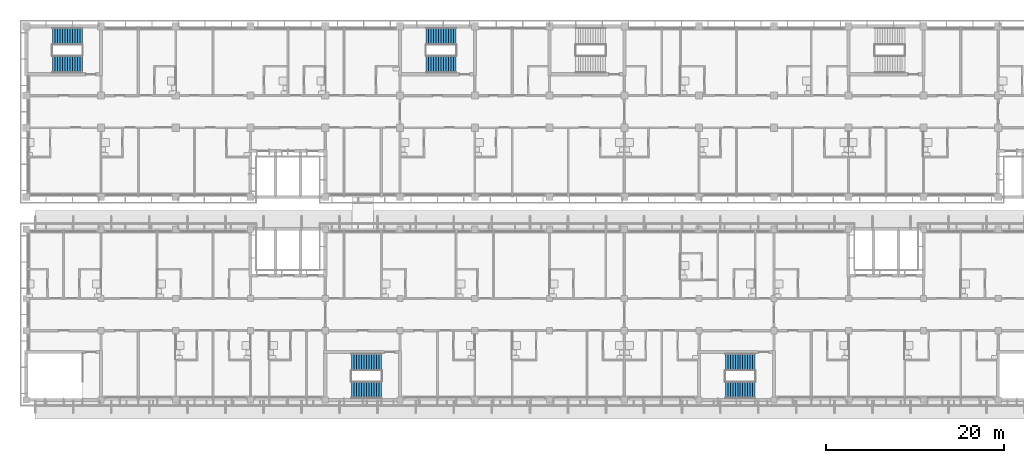
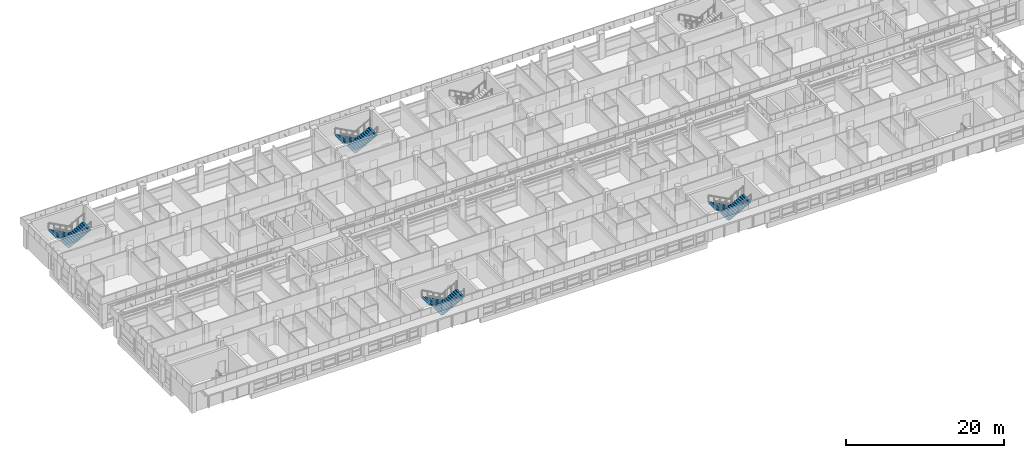
# One storey, part 40 of 71: 8 stair flights, 4 elements without a shape of their own.
"""IFC4 building model written with IfcOpenShell, lengths in metres."""

import ifcopenshell
import ifcopenshell.guid

model = None  # the IFC model being written
_history = None  # IfcOwnerHistory: only IFC2X3 demands one
_inside = {}  # id of a spatial element -> (the spatial element, [elements in it])
_under = {}  # id of a project, library or spatial element -> (it, [spatial elements below it])
_declared = {}  # id of a project -> (the project, [libraries it declares])
_typed = {}  # id of a type object -> (the type object, [elements of that type])
_made_of = {}  # id of a material, layer set ... -> (it, [elements and type objects made of it])


def new_model(schema):
    """Start an empty IFC model of exactly this schema.

    Asked for "IFC4X3", IfcOpenShell would pick the latest addendum, in which some entities
    have other attributes; the version numbers below select the first issue.
    IFC2X3 requires an IfcOwnerHistory on every rooted entity: one is made here for all.
    """
    global model, _history
    if schema == "IFC4X3":
        model = ifcopenshell.file(schema_version=(4, 3, 0, 0))
    else:
        model = ifcopenshell.file(schema=schema)
    _inside.clear()
    _under.clear()
    _declared.clear()
    _typed.clear()
    _made_of.clear()
    _history = None
    if model.schema == "IFC2X3":
        org = make("IfcOrganization", Name="unknown")
        user = make(
            "IfcPersonAndOrganization",
            ThePerson=make("IfcPerson", FamilyName="unknown"),
            TheOrganization=org,
        )
        app = make(
            "IfcApplication",
            ApplicationDeveloper=org,
            Version="unknown",
            ApplicationFullName="unknown",
            ApplicationIdentifier="unknown",
        )
        _history = make(
            "IfcOwnerHistory",
            OwningUser=user,
            OwningApplication=app,
            ChangeAction="ADDED",
            CreationDate=0,
        )
    return model


def make(cls, **values):
    """One entity of the class cls with the attributes given. An attribute that is None is left unset."""
    return model.create_entity(
        cls, **{name: value for name, value in values.items() if value is not None}
    )


def rooted(cls, **values):
    """An entity with a GlobalId (a new one), such as an element, a storey or a relation."""
    return make(cls, GlobalId=ifcopenshell.guid.new(), OwnerHistory=_history, **values)


def si_unit(unit_type, name, prefix=None):
    """IfcSIUnit, for example si_unit("LENGTHUNIT", "METRE", prefix="MILLI")."""
    return make("IfcSIUnit", UnitType=unit_type, Prefix=prefix, Name=name)


def assignment(units):
    """IfcUnitAssignment: the units of a project."""
    return None if units is None else make("IfcUnitAssignment", Units=units)


def point(xyz):
    """IfcCartesianPoint."""
    return None if xyz is None else make("IfcCartesianPoint", Coordinates=xyz)


def direction(xyz):
    """IfcDirection."""
    return None if xyz is None else make("IfcDirection", DirectionRatios=xyz)


def frame(location, z_axis=None, x_axis=None):
    """IfcAxis2Placement3D, a coordinate frame: its origin and axes. An axis left out is left unset."""
    return make(
        "IfcAxis2Placement3D",
        Location=point(location),
        Axis=direction(z_axis),
        RefDirection=direction(x_axis),
    )


def origin():
    """The frame at (0, 0, 0) with its axes left unset."""
    return frame((0.0, 0.0, 0.0))


def place(relative_to, where):
    """IfcLocalPlacement: puts the frame where relative to a parent placement (None: the world)."""
    return make(
        "IfcLocalPlacement", PlacementRelTo=relative_to, RelativePlacement=where
    )


def context(
    kind, dimensions, precision=None, world=None, true_north=None, identifier=None
):
    """IfcGeometricRepresentationContext, for example the 3D "Model" context."""
    return make(
        "IfcGeometricRepresentationContext",
        ContextIdentifier=identifier,
        ContextType=kind,
        CoordinateSpaceDimension=dimensions,
        Precision=precision,
        WorldCoordinateSystem=world,
        TrueNorth=true_north,
    )


def subcontext(parent, identifier, kind, view, scale=None):
    """IfcGeometricRepresentationSubContext, for example "Body" below "Model"."""
    return make(
        "IfcGeometricRepresentationSubContext",
        ContextIdentifier=identifier,
        ContextType=kind,
        ParentContext=parent,
        TargetScale=scale,
        TargetView=view,
    )


def project(units=None, contexts=None):
    """IfcProject with its units and contexts."""
    return rooted(
        "IfcProject",
        Name="project",
        RepresentationContexts=contexts,
        UnitsInContext=assignment(units),
    )


def spatial(cls, under=None, at=None, **own):
    """A site, building, storey or space (cls), placed at a placement, below another one or the project."""
    s = rooted(cls, ObjectPlacement=at, **own)
    if under is not None:
        _under.setdefault(under.id(), (under, []))[1].append(s)
    return s


def polyline(points):
    """IfcPolyline through the points."""
    return make("IfcPolyline", Points=[point(p) for p in points])


def outline(outer, holes=None, kind="AREA"):
    """IfcArbitraryClosedProfileDef: a profile drawn as a closed curve; with holes, ...WithVoids."""
    if holes is None:
        return make("IfcArbitraryClosedProfileDef", ProfileType=kind, OuterCurve=outer)
    return make(
        "IfcArbitraryProfileDefWithVoids",
        ProfileType=kind,
        OuterCurve=outer,
        InnerCurves=holes,
    )


def extrude(swept, where, along, depth):
    """IfcExtrudedAreaSolid: the profile swept, set in the frame where, extruded along a direction by depth."""
    return make(
        "IfcExtrudedAreaSolid",
        SweptArea=swept,
        Position=where,
        ExtrudedDirection=direction(along),
        Depth=depth,
    )


def shape(context_of_items, identifier, shape_type, items):
    """IfcShapeRepresentation: the items that make up one representation, for example the "Body"."""
    return make(
        "IfcShapeRepresentation",
        ContextOfItems=context_of_items,
        RepresentationIdentifier=identifier,
        RepresentationType=shape_type,
        Items=items,
    )


def material(Name=None, Category=None):
    """IfcMaterial."""
    return make("IfcMaterial", Name=Name, Category=Category)


def made_of(thing, what):
    """Note that an element or type object is made of a material, layer set ...; save() writes the relation."""
    if what is not None:
        _made_of.setdefault(what.id(), (what, []))[1].append(thing)
    return thing


def type_object(cls, material=None, **own):
    """A type object (cls), such as IfcWallType, which elements share."""
    return made_of(rooted(cls, **own), material)


def element(
    cls,
    number,
    at=None,
    inside=None,
    cuts=None,
    type_object=None,
    material=None,
    context=None,
    identifier="Body",
    shape_type=None,
    held_by="IfcProductDefinitionShape",
    body=None,
    shapes=None,
    **own,
):
    """One element of the class cls, such as IfcWall. Its Tag is "e" and its number.

    at: its placement. inside: the storey or other place that contains it. cuts: it is an
    opening in that element (IfcRelVoidsElement). A single representation is given by context,
    identifier, shape_type and body (its items); several are given by shapes. held_by: the class
    of the entity that holds the representations. save() writes the other relations.
    """
    e = rooted(cls, Tag="e%d" % number, ObjectPlacement=at, **own)
    if body is not None:
        shapes = [shape(context, identifier, shape_type, body)]
    if shapes is not None:
        e.Representation = make(held_by, Representations=shapes)
    if inside is not None:
        _inside.setdefault(inside.id(), (inside, []))[1].append(e)
    if cuts is not None:
        rooted(
            "IfcRelVoidsElement", RelatingBuildingElement=cuts, RelatedOpeningElement=e
        )
    if type_object is not None:
        _typed.setdefault(type_object.id(), (type_object, []))[1].append(e)
    return made_of(e, material)


def aggregate(whole, parts):
    """IfcRelAggregates: a whole, such as a stair, and the parts it consists of."""
    return rooted("IfcRelAggregates", RelatingObject=whole, RelatedObjects=parts)


def save(model, path):
    """Write the relations noted so far, then the file.

    IfcRelAggregates (storeys below a building ...), IfcRelContainedInSpatialStructure (elements
    in a storey), IfcRelDefinesByType, IfcRelAssociatesMaterial and IfcRelDeclares: one each for
    every whole, place, type object, material and project.
    """
    for whole, parts in _under.values():
        aggregate(whole, parts)
    for where, things in _inside.values():
        rooted(
            "IfcRelContainedInSpatialStructure",
            RelatedElements=things,
            RelatingStructure=where,
        )
    for kind, things in _typed.values():
        rooted("IfcRelDefinesByType", RelatedObjects=things, RelatingType=kind)
    for what, things in _made_of.values():
        rooted("IfcRelAssociatesMaterial", RelatedObjects=things, RelatingMaterial=what)
    for by, libraries in _declared.values():
        rooted("IfcRelDeclares", RelatingContext=by, RelatedDefinitions=libraries)
    model.write(path)


model = new_model("IFC4")

# Units and contexts
model_context = context("Model", 3, precision=1e-05, world=origin(), true_north=direction((0.0, 1.0)))
body_context = subcontext(model_context, "Body", "Model", "MODEL_VIEW")
ifc_project = project(units=[si_unit("LENGTHUNIT", "METRE"), si_unit("AREAUNIT", "SQUARE_METRE"), si_unit("VOLUMEUNIT", "CUBIC_METRE"), si_unit("PLANEANGLEUNIT", "RADIAN"), si_unit("MASSUNIT", "GRAM", prefix="KILO")], contexts=[model_context])

# Site, building, storey
site_placement = place(None, origin())
site = spatial("IfcSite", under=ifc_project, at=site_placement, CompositionType="ELEMENT")
building_placement = place(site_placement, origin())
building = spatial("IfcBuilding", under=site, at=building_placement, Name="Bougainvillea Quay General Hospital", CompositionType="ELEMENT")
storey_placement = place(building_placement, frame((0.0, 0.0, 24.89990234375)))
storey = spatial("IfcBuildingStorey", under=building, at=storey_placement, Name="L05", CompositionType="ELEMENT", Elevation=24.89990234375)

# Stair, stair flights
ifc_material = material(Name="Concrete C35", Category="concrete")
stair_type = type_object("IfcStairType", Name="Stair half-turn 1925 wide", PredefinedType="HALF_TURN_STAIR", material=ifc_material)
stair_1_placement = place(storey_placement, origin())
stair_1 = element("IfcStair", 1, at=stair_1_placement, inside=storey, type_object=stair_type, Name="L05 stair ST-A1", PredefinedType="HALF_TURN_STAIR")
stair_flight_type = type_object("IfcStairFlightType", Name="Stair flight 1925", PredefinedType="STRAIGHT", material=ifc_material)
stair_flight_1_placement = place(storey_placement, frame((48.300048828125, 158.46240234375, 0.0), z_axis=(0.0, 0.0, 1.0), x_axis=(-1.0, 0.0, 0.0)))
stair_flight_1 = element("IfcStairFlight", 2, at=stair_flight_1_placement, type_object=stair_flight_type, Name="ST-A1 flight 1", NumberOfRisers=13, NumberOfTreads=12, PredefinedType="STRAIGHT", RiserHeight=0.15, TreadLength=0.28, context=body_context, shape_type="SweptSolid", body=[
    extrude(outline(polyline([(-0.0029296875, 0.0), (-0.0029296875, 0.003662109375), (-0.0029296875, 0.00732421875), (-0.0029296875, 0.010986328125), (-0.0029296875, 0.0146484375), (-0.0029296875, 0.018310546875), (-0.0029296875, 0.02197265625), (-0.0029296875, 0.025634765625), (-0.0029296875, 0.029296875), (-0.0029296875, 0.032958984375), (-0.0029296875, 0.03662109375), (-0.0029296875, 0.040283203125), (-0.0029296875, 0.0439453125), (-0.0029296875, 0.047607421875), (-0.0029296875, 0.05126953125), (-0.0029296875, 0.054931640625), (-0.0029296875, 0.05859375), (-0.0029296875, 0.062255859375), (-0.0029296875, 0.06591796875), (-0.0029296875, 0.069580078125), (-0.0029296875, 0.0732421875), (-0.0029296875, 0.076904296875), (-0.0029296875, 0.08056640625), (-0.0029296875, 0.084228515625), (-0.0029296875, 0.087890625), (-0.0029296875, 0.091552734375), (-0.0029296875, 0.09521484375), (-0.0029296875, 0.098876953125), (-0.0029296875, 0.1025390625), (-0.0029296875, 0.106201171875), (-0.0029296875, 0.10986328125), (-0.0029296875, 0.113525390625), (-0.0029296875, 0.1171875), (-0.0029296875, 0.120849609375), (-0.0029296875, 0.12451171875), (-0.0029296875, 0.1279296875), (-0.0029296875, 0.131591796875), (-0.0029296875, 0.13525390625), (-0.0029296875, 0.138916015625), (-0.0029296875, 0.142578125), (-0.0029296875, 0.146240234375), (-0.0029296875, 0.14990234375), (0.280029296875, 0.14990234375), (0.280029296875, 0.300048828125), (0.56005859375, 0.300048828125), (0.56005859375, 0.449951171875), (0.840087890625, 0.449951171875), (0.840087890625, 0.60009765625), (1.1201171875, 0.60009765625), (1.1201171875, 0.75), (1.39990234375, 0.75), (1.39990234375, 0.89990234375), (1.679931640625, 0.89990234375), (1.679931640625, 1.050048828125), (1.9599609375, 1.050048828125), (1.9599609375, 1.199951171875), (2.239990234375, 1.199951171875), (2.239990234375, 1.35009765625), (2.52001953125, 1.35009765625), (2.52001953125, 1.5), (2.800048828125, 1.5), (2.800048828125, 1.64990234375), (3.080078125, 1.64990234375), (3.080078125, 1.800048828125), (3.363037109375, 1.800048828125), (3.363037109375, 1.7958984375), (3.363037109375, 1.791748046875), (3.363037109375, 1.78759765625), (3.363037109375, 1.783447265625), (3.363037109375, 1.779296875), (3.363037109375, 1.775146484375), (3.363037109375, 1.77099609375), (3.363037109375, 1.766845703125), (3.363037109375, 1.7626953125), (3.363037109375, 1.758544921875), (3.363037109375, 1.75439453125), (3.363037109375, 1.750244140625), (3.363037109375, 1.74609375), (3.363037109375, 1.741943359375), (3.363037109375, 1.73779296875), (3.363037109375, 1.733642578125), (3.363037109375, 1.7294921875), (3.363037109375, 1.725341796875), (3.363037109375, 1.72119140625), (3.363037109375, 1.717041015625), (3.363037109375, 1.712890625), (3.363037109375, 1.708740234375), (3.363037109375, 1.70458984375), (3.363037109375, 1.700439453125), (3.363037109375, 1.6962890625), (3.363037109375, 1.692138671875), (3.363037109375, 1.68798828125), (3.363037109375, 1.683837890625), (3.363037109375, 1.6796875), (3.363037109375, 1.675537109375), (3.363037109375, 1.67138671875), (3.363037109375, 1.667236328125), (3.363037109375, 1.6630859375), (3.363037109375, 1.658935546875), (3.363037109375, 1.65478515625), (3.363037109375, 1.650634765625), (3.363037109375, 1.646484375), (3.363037109375, 1.642333984375), (3.363037109375, 1.63818359375), (3.363037109375, 1.634033203125), (3.363037109375, 1.6298828125), (0.3173828125, 0.0), (-0.0029296875, 0.0)])), frame((0.0, 0.96240234375, 0.0), z_axis=(0.0, -1.0, 0.0), x_axis=(1.0, 0.0, 0.0)), (0.0, 0.0, 1.0), 1.925048828125),
])
stair_flight_2_placement = place(storey_placement, frame((44.93994140625, 155.33740234375, 1.9501953125), z_axis=(0.0, 0.0, 1.0), x_axis=(1.0, 0.0, 0.0)))
stair_flight_2 = element("IfcStairFlight", 3, at=stair_flight_2_placement, type_object=stair_flight_type, Name="ST-A1 flight 2", NumberOfRisers=13, NumberOfTreads=12, PredefinedType="STRAIGHT", RiserHeight=0.15, TreadLength=0.28, context=body_context, shape_type="SweptSolid", body=[
    extrude(outline(polyline([(-0.0029296875, 0.0), (-0.0029296875, 0.003662109375), (-0.0029296875, 0.00732421875), (-0.0029296875, 0.010986328125), (-0.0029296875, 0.0146484375), (-0.0029296875, 0.018310546875), (-0.0029296875, 0.02197265625), (-0.0029296875, 0.025634765625), (-0.0029296875, 0.029296875), (-0.0029296875, 0.032958984375), (-0.0029296875, 0.03662109375), (-0.0029296875, 0.040283203125), (-0.0029296875, 0.0439453125), (-0.0029296875, 0.047607421875), (-0.0029296875, 0.05126953125), (-0.0029296875, 0.054931640625), (-0.0029296875, 0.05859375), (-0.0029296875, 0.062255859375), (-0.0029296875, 0.06591796875), (-0.0029296875, 0.069580078125), (-0.0029296875, 0.0732421875), (-0.0029296875, 0.076904296875), (-0.0029296875, 0.08056640625), (-0.0029296875, 0.084228515625), (-0.0029296875, 0.087890625), (-0.0029296875, 0.091552734375), (-0.0029296875, 0.09521484375), (-0.0029296875, 0.098876953125), (-0.0029296875, 0.1025390625), (-0.0029296875, 0.106201171875), (-0.0029296875, 0.10986328125), (-0.0029296875, 0.113525390625), (-0.0029296875, 0.1171875), (-0.0029296875, 0.120849609375), (-0.0029296875, 0.12451171875), (-0.0029296875, 0.1279296875), (-0.0029296875, 0.131591796875), (-0.0029296875, 0.13525390625), (-0.0029296875, 0.138916015625), (-0.0029296875, 0.142578125), (-0.0029296875, 0.146240234375), (-0.0029296875, 0.14990234375), (0.280029296875, 0.14990234375), (0.280029296875, 0.300048828125), (0.56005859375, 0.300048828125), (0.56005859375, 0.449951171875), (0.840087890625, 0.449951171875), (0.840087890625, 0.60009765625), (1.1201171875, 0.60009765625), (1.1201171875, 0.75), (1.39990234375, 0.75), (1.39990234375, 0.89990234375), (1.679931640625, 0.89990234375), (1.679931640625, 1.050048828125), (1.9599609375, 1.050048828125), (1.9599609375, 1.199951171875), (2.239990234375, 1.199951171875), (2.239990234375, 1.35009765625), (2.52001953125, 1.35009765625), (2.52001953125, 1.5), (2.800048828125, 1.5), (2.800048828125, 1.64990234375), (3.080078125, 1.64990234375), (3.080078125, 1.800048828125), (3.363037109375, 1.800048828125), (3.363037109375, 1.7958984375), (3.363037109375, 1.791748046875), (3.363037109375, 1.78759765625), (3.363037109375, 1.783447265625), (3.363037109375, 1.779296875), (3.363037109375, 1.775146484375), (3.363037109375, 1.77099609375), (3.363037109375, 1.766845703125), (3.363037109375, 1.7626953125), (3.363037109375, 1.758544921875), (3.363037109375, 1.75439453125), (3.363037109375, 1.750244140625), (3.363037109375, 1.74609375), (3.363037109375, 1.741943359375), (3.363037109375, 1.73779296875), (3.363037109375, 1.733642578125), (3.363037109375, 1.7294921875), (3.363037109375, 1.725341796875), (3.363037109375, 1.72119140625), (3.363037109375, 1.717041015625), (3.363037109375, 1.712890625), (3.363037109375, 1.708740234375), (3.363037109375, 1.70458984375), (3.363037109375, 1.700439453125), (3.363037109375, 1.6962890625), (3.363037109375, 1.692138671875), (3.363037109375, 1.68798828125), (3.363037109375, 1.683837890625), (3.363037109375, 1.6796875), (3.363037109375, 1.675537109375), (3.363037109375, 1.67138671875), (3.363037109375, 1.667236328125), (3.363037109375, 1.6630859375), (3.363037109375, 1.658935546875), (3.363037109375, 1.65478515625), (3.363037109375, 1.650634765625), (3.363037109375, 1.646484375), (3.363037109375, 1.642333984375), (3.363037109375, 1.63818359375), (3.363037109375, 1.634033203125), (3.363037109375, 1.6298828125), (0.3173828125, 0.0), (-0.0029296875, 0.0)])), frame((0.0, 0.96240234375, 0.0), z_axis=(0.0, -1.0, 0.0), x_axis=(1.0, 0.0, 0.0)), (0.0, 0.0, 1.0), 1.925048828125),
])
aggregate(stair_1, [stair_flight_1, stair_flight_2])

stair_2_placement = place(storey_placement, origin())
stair_2 = element("IfcStair", 4, at=stair_2_placement, inside=storey, type_object=stair_type, Name="L05 stair ST-A2", PredefinedType="HALF_TURN_STAIR")
stair_flight_3_placement = place(storey_placement, frame((90.300048828125, 158.46240234375, 0.0), z_axis=(0.0, 0.0, 1.0), x_axis=(-1.0, 0.0, 0.0)))
stair_flight_3 = element("IfcStairFlight", 5, at=stair_flight_3_placement, type_object=stair_flight_type, Name="ST-A2 flight 1", NumberOfRisers=13, NumberOfTreads=12, PredefinedType="STRAIGHT", RiserHeight=0.15, TreadLength=0.28, context=body_context, shape_type="SweptSolid", body=[
    extrude(outline(polyline([(-0.0029296875, 0.0), (-0.0029296875, 0.003662109375), (-0.0029296875, 0.00732421875), (-0.0029296875, 0.010986328125), (-0.0029296875, 0.0146484375), (-0.0029296875, 0.018310546875), (-0.0029296875, 0.02197265625), (-0.0029296875, 0.025634765625), (-0.0029296875, 0.029296875), (-0.0029296875, 0.032958984375), (-0.0029296875, 0.03662109375), (-0.0029296875, 0.040283203125), (-0.0029296875, 0.0439453125), (-0.0029296875, 0.047607421875), (-0.0029296875, 0.05126953125), (-0.0029296875, 0.054931640625), (-0.0029296875, 0.05859375), (-0.0029296875, 0.062255859375), (-0.0029296875, 0.06591796875), (-0.0029296875, 0.069580078125), (-0.0029296875, 0.0732421875), (-0.0029296875, 0.076904296875), (-0.0029296875, 0.08056640625), (-0.0029296875, 0.084228515625), (-0.0029296875, 0.087890625), (-0.0029296875, 0.091552734375), (-0.0029296875, 0.09521484375), (-0.0029296875, 0.098876953125), (-0.0029296875, 0.1025390625), (-0.0029296875, 0.106201171875), (-0.0029296875, 0.10986328125), (-0.0029296875, 0.113525390625), (-0.0029296875, 0.1171875), (-0.0029296875, 0.120849609375), (-0.0029296875, 0.12451171875), (-0.0029296875, 0.1279296875), (-0.0029296875, 0.131591796875), (-0.0029296875, 0.13525390625), (-0.0029296875, 0.138916015625), (-0.0029296875, 0.142578125), (-0.0029296875, 0.146240234375), (-0.0029296875, 0.14990234375), (0.280029296875, 0.14990234375), (0.280029296875, 0.300048828125), (0.56005859375, 0.300048828125), (0.56005859375, 0.449951171875), (0.840087890625, 0.449951171875), (0.840087890625, 0.60009765625), (1.1201171875, 0.60009765625), (1.1201171875, 0.75), (1.39990234375, 0.75), (1.39990234375, 0.89990234375), (1.679931640625, 0.89990234375), (1.679931640625, 1.050048828125), (1.9599609375, 1.050048828125), (1.9599609375, 1.199951171875), (2.239990234375, 1.199951171875), (2.239990234375, 1.35009765625), (2.52001953125, 1.35009765625), (2.52001953125, 1.5), (2.800048828125, 1.5), (2.800048828125, 1.64990234375), (3.080078125, 1.64990234375), (3.080078125, 1.800048828125), (3.363037109375, 1.800048828125), (3.363037109375, 1.7958984375), (3.363037109375, 1.791748046875), (3.363037109375, 1.78759765625), (3.363037109375, 1.783447265625), (3.363037109375, 1.779296875), (3.363037109375, 1.775146484375), (3.363037109375, 1.77099609375), (3.363037109375, 1.766845703125), (3.363037109375, 1.7626953125), (3.363037109375, 1.758544921875), (3.363037109375, 1.75439453125), (3.363037109375, 1.750244140625), (3.363037109375, 1.74609375), (3.363037109375, 1.741943359375), (3.363037109375, 1.73779296875), (3.363037109375, 1.733642578125), (3.363037109375, 1.7294921875), (3.363037109375, 1.725341796875), (3.363037109375, 1.72119140625), (3.363037109375, 1.717041015625), (3.363037109375, 1.712890625), (3.363037109375, 1.708740234375), (3.363037109375, 1.70458984375), (3.363037109375, 1.700439453125), (3.363037109375, 1.6962890625), (3.363037109375, 1.692138671875), (3.363037109375, 1.68798828125), (3.363037109375, 1.683837890625), (3.363037109375, 1.6796875), (3.363037109375, 1.675537109375), (3.363037109375, 1.67138671875), (3.363037109375, 1.667236328125), (3.363037109375, 1.6630859375), (3.363037109375, 1.658935546875), (3.363037109375, 1.65478515625), (3.363037109375, 1.650634765625), (3.363037109375, 1.646484375), (3.363037109375, 1.642333984375), (3.363037109375, 1.63818359375), (3.363037109375, 1.634033203125), (3.363037109375, 1.6298828125), (0.3173828125, 0.0), (-0.0029296875, 0.0)])), frame((0.0, 0.96240234375, 0.0), z_axis=(0.0, -1.0, 0.0), x_axis=(1.0, 0.0, 0.0)), (0.0, 0.0, 1.0), 1.925048828125),
])
stair_flight_4_placement = place(storey_placement, frame((86.93994140625, 155.33740234375, 1.9501953125), z_axis=(0.0, 0.0, 1.0), x_axis=(1.0, 0.0, 0.0)))
stair_flight_4 = element("IfcStairFlight", 6, at=stair_flight_4_placement, type_object=stair_flight_type, Name="ST-A2 flight 2", NumberOfRisers=13, NumberOfTreads=12, PredefinedType="STRAIGHT", RiserHeight=0.15, TreadLength=0.28, context=body_context, shape_type="SweptSolid", body=[
    extrude(outline(polyline([(-0.0029296875, 0.0), (-0.0029296875, 0.003662109375), (-0.0029296875, 0.00732421875), (-0.0029296875, 0.010986328125), (-0.0029296875, 0.0146484375), (-0.0029296875, 0.018310546875), (-0.0029296875, 0.02197265625), (-0.0029296875, 0.025634765625), (-0.0029296875, 0.029296875), (-0.0029296875, 0.032958984375), (-0.0029296875, 0.03662109375), (-0.0029296875, 0.040283203125), (-0.0029296875, 0.0439453125), (-0.0029296875, 0.047607421875), (-0.0029296875, 0.05126953125), (-0.0029296875, 0.054931640625), (-0.0029296875, 0.05859375), (-0.0029296875, 0.062255859375), (-0.0029296875, 0.06591796875), (-0.0029296875, 0.069580078125), (-0.0029296875, 0.0732421875), (-0.0029296875, 0.076904296875), (-0.0029296875, 0.08056640625), (-0.0029296875, 0.084228515625), (-0.0029296875, 0.087890625), (-0.0029296875, 0.091552734375), (-0.0029296875, 0.09521484375), (-0.0029296875, 0.098876953125), (-0.0029296875, 0.1025390625), (-0.0029296875, 0.106201171875), (-0.0029296875, 0.10986328125), (-0.0029296875, 0.113525390625), (-0.0029296875, 0.1171875), (-0.0029296875, 0.120849609375), (-0.0029296875, 0.12451171875), (-0.0029296875, 0.1279296875), (-0.0029296875, 0.131591796875), (-0.0029296875, 0.13525390625), (-0.0029296875, 0.138916015625), (-0.0029296875, 0.142578125), (-0.0029296875, 0.146240234375), (-0.0029296875, 0.14990234375), (0.280029296875, 0.14990234375), (0.280029296875, 0.300048828125), (0.56005859375, 0.300048828125), (0.56005859375, 0.449951171875), (0.840087890625, 0.449951171875), (0.840087890625, 0.60009765625), (1.1201171875, 0.60009765625), (1.1201171875, 0.75), (1.39990234375, 0.75), (1.39990234375, 0.89990234375), (1.679931640625, 0.89990234375), (1.679931640625, 1.050048828125), (1.9599609375, 1.050048828125), (1.9599609375, 1.199951171875), (2.239990234375, 1.199951171875), (2.239990234375, 1.35009765625), (2.52001953125, 1.35009765625), (2.52001953125, 1.5), (2.800048828125, 1.5), (2.800048828125, 1.64990234375), (3.080078125, 1.64990234375), (3.080078125, 1.800048828125), (3.363037109375, 1.800048828125), (3.363037109375, 1.7958984375), (3.363037109375, 1.791748046875), (3.363037109375, 1.78759765625), (3.363037109375, 1.783447265625), (3.363037109375, 1.779296875), (3.363037109375, 1.775146484375), (3.363037109375, 1.77099609375), (3.363037109375, 1.766845703125), (3.363037109375, 1.7626953125), (3.363037109375, 1.758544921875), (3.363037109375, 1.75439453125), (3.363037109375, 1.750244140625), (3.363037109375, 1.74609375), (3.363037109375, 1.741943359375), (3.363037109375, 1.73779296875), (3.363037109375, 1.733642578125), (3.363037109375, 1.7294921875), (3.363037109375, 1.725341796875), (3.363037109375, 1.72119140625), (3.363037109375, 1.717041015625), (3.363037109375, 1.712890625), (3.363037109375, 1.708740234375), (3.363037109375, 1.70458984375), (3.363037109375, 1.700439453125), (3.363037109375, 1.6962890625), (3.363037109375, 1.692138671875), (3.363037109375, 1.68798828125), (3.363037109375, 1.683837890625), (3.363037109375, 1.6796875), (3.363037109375, 1.675537109375), (3.363037109375, 1.67138671875), (3.363037109375, 1.667236328125), (3.363037109375, 1.6630859375), (3.363037109375, 1.658935546875), (3.363037109375, 1.65478515625), (3.363037109375, 1.650634765625), (3.363037109375, 1.646484375), (3.363037109375, 1.642333984375), (3.363037109375, 1.63818359375), (3.363037109375, 1.634033203125), (3.363037109375, 1.6298828125), (0.3173828125, 0.0), (-0.0029296875, 0.0)])), frame((0.0, 0.96240234375, 0.0), z_axis=(0.0, -1.0, 0.0), x_axis=(1.0, 0.0, 0.0)), (0.0, 0.0, 1.0), 1.925048828125),
])
aggregate(stair_2, [stair_flight_3, stair_flight_4])

stair_3_placement = place(storey_placement, origin())
stair_3 = element("IfcStair", 7, at=stair_3_placement, inside=storey, type_object=stair_type, Name="L05 stair ST-B2", PredefinedType="HALF_TURN_STAIR")
stair_flight_5_placement = place(storey_placement, frame((81.89990234375, 121.862548828125, 0.0), z_axis=(0.0, 0.0, 1.0), x_axis=(-1.0, 0.0, 0.0)))
stair_flight_5 = element("IfcStairFlight", 8, at=stair_flight_5_placement, type_object=stair_flight_type, Name="ST-B2 flight 1", NumberOfRisers=13, NumberOfTreads=12, PredefinedType="STRAIGHT", RiserHeight=0.15, TreadLength=0.28, context=body_context, shape_type="SweptSolid", body=[
    extrude(outline(polyline([(-0.0029296875, 0.0), (-0.0029296875, 0.003662109375), (-0.0029296875, 0.00732421875), (-0.0029296875, 0.010986328125), (-0.0029296875, 0.0146484375), (-0.0029296875, 0.018310546875), (-0.0029296875, 0.02197265625), (-0.0029296875, 0.025634765625), (-0.0029296875, 0.029296875), (-0.0029296875, 0.032958984375), (-0.0029296875, 0.03662109375), (-0.0029296875, 0.040283203125), (-0.0029296875, 0.0439453125), (-0.0029296875, 0.047607421875), (-0.0029296875, 0.05126953125), (-0.0029296875, 0.054931640625), (-0.0029296875, 0.05859375), (-0.0029296875, 0.062255859375), (-0.0029296875, 0.06591796875), (-0.0029296875, 0.069580078125), (-0.0029296875, 0.0732421875), (-0.0029296875, 0.076904296875), (-0.0029296875, 0.08056640625), (-0.0029296875, 0.084228515625), (-0.0029296875, 0.087890625), (-0.0029296875, 0.091552734375), (-0.0029296875, 0.09521484375), (-0.0029296875, 0.098876953125), (-0.0029296875, 0.1025390625), (-0.0029296875, 0.106201171875), (-0.0029296875, 0.10986328125), (-0.0029296875, 0.113525390625), (-0.0029296875, 0.1171875), (-0.0029296875, 0.120849609375), (-0.0029296875, 0.12451171875), (-0.0029296875, 0.1279296875), (-0.0029296875, 0.131591796875), (-0.0029296875, 0.13525390625), (-0.0029296875, 0.138916015625), (-0.0029296875, 0.142578125), (-0.0029296875, 0.146240234375), (-0.0029296875, 0.14990234375), (0.280029296875, 0.14990234375), (0.280029296875, 0.300048828125), (0.56005859375, 0.300048828125), (0.56005859375, 0.449951171875), (0.840087890625, 0.449951171875), (0.840087890625, 0.60009765625), (1.1201171875, 0.60009765625), (1.1201171875, 0.75), (1.39990234375, 0.75), (1.39990234375, 0.89990234375), (1.679931640625, 0.89990234375), (1.679931640625, 1.050048828125), (1.9599609375, 1.050048828125), (1.9599609375, 1.199951171875), (2.239990234375, 1.199951171875), (2.239990234375, 1.35009765625), (2.52001953125, 1.35009765625), (2.52001953125, 1.5), (2.800048828125, 1.5), (2.800048828125, 1.64990234375), (3.080078125, 1.64990234375), (3.080078125, 1.800048828125), (3.363037109375, 1.800048828125), (3.363037109375, 1.7958984375), (3.363037109375, 1.791748046875), (3.363037109375, 1.78759765625), (3.363037109375, 1.783447265625), (3.363037109375, 1.779296875), (3.363037109375, 1.775146484375), (3.363037109375, 1.77099609375), (3.363037109375, 1.766845703125), (3.363037109375, 1.7626953125), (3.363037109375, 1.758544921875), (3.363037109375, 1.75439453125), (3.363037109375, 1.750244140625), (3.363037109375, 1.74609375), (3.363037109375, 1.741943359375), (3.363037109375, 1.73779296875), (3.363037109375, 1.733642578125), (3.363037109375, 1.7294921875), (3.363037109375, 1.725341796875), (3.363037109375, 1.72119140625), (3.363037109375, 1.717041015625), (3.363037109375, 1.712890625), (3.363037109375, 1.708740234375), (3.363037109375, 1.70458984375), (3.363037109375, 1.700439453125), (3.363037109375, 1.6962890625), (3.363037109375, 1.692138671875), (3.363037109375, 1.68798828125), (3.363037109375, 1.683837890625), (3.363037109375, 1.6796875), (3.363037109375, 1.675537109375), (3.363037109375, 1.67138671875), (3.363037109375, 1.667236328125), (3.363037109375, 1.6630859375), (3.363037109375, 1.658935546875), (3.363037109375, 1.65478515625), (3.363037109375, 1.650634765625), (3.363037109375, 1.646484375), (3.363037109375, 1.642333984375), (3.363037109375, 1.63818359375), (3.363037109375, 1.634033203125), (3.363037109375, 1.6298828125), (0.3173828125, 0.0), (-0.0029296875, 0.0)])), frame((0.0, 0.96240234375, 0.0), z_axis=(0.0, -1.0, 0.0), x_axis=(1.0, 0.0, 0.0)), (0.0, 0.0, 1.0), 1.925048828125),
])
stair_flight_6_placement = place(storey_placement, frame((78.5400390625, 118.737548828125, 1.9501953125), z_axis=(0.0, 0.0, 1.0), x_axis=(1.0, 0.0, 0.0)))
stair_flight_6 = element("IfcStairFlight", 9, at=stair_flight_6_placement, type_object=stair_flight_type, Name="ST-B2 flight 2", NumberOfRisers=13, NumberOfTreads=12, PredefinedType="STRAIGHT", RiserHeight=0.15, TreadLength=0.28, context=body_context, shape_type="SweptSolid", body=[
    extrude(outline(polyline([(-0.0029296875, 0.0), (-0.0029296875, 0.003662109375), (-0.0029296875, 0.00732421875), (-0.0029296875, 0.010986328125), (-0.0029296875, 0.0146484375), (-0.0029296875, 0.018310546875), (-0.0029296875, 0.02197265625), (-0.0029296875, 0.025634765625), (-0.0029296875, 0.029296875), (-0.0029296875, 0.032958984375), (-0.0029296875, 0.03662109375), (-0.0029296875, 0.040283203125), (-0.0029296875, 0.0439453125), (-0.0029296875, 0.047607421875), (-0.0029296875, 0.05126953125), (-0.0029296875, 0.054931640625), (-0.0029296875, 0.05859375), (-0.0029296875, 0.062255859375), (-0.0029296875, 0.06591796875), (-0.0029296875, 0.069580078125), (-0.0029296875, 0.0732421875), (-0.0029296875, 0.076904296875), (-0.0029296875, 0.08056640625), (-0.0029296875, 0.084228515625), (-0.0029296875, 0.087890625), (-0.0029296875, 0.091552734375), (-0.0029296875, 0.09521484375), (-0.0029296875, 0.098876953125), (-0.0029296875, 0.1025390625), (-0.0029296875, 0.106201171875), (-0.0029296875, 0.10986328125), (-0.0029296875, 0.113525390625), (-0.0029296875, 0.1171875), (-0.0029296875, 0.120849609375), (-0.0029296875, 0.12451171875), (-0.0029296875, 0.1279296875), (-0.0029296875, 0.131591796875), (-0.0029296875, 0.13525390625), (-0.0029296875, 0.138916015625), (-0.0029296875, 0.142578125), (-0.0029296875, 0.146240234375), (-0.0029296875, 0.14990234375), (0.280029296875, 0.14990234375), (0.280029296875, 0.300048828125), (0.56005859375, 0.300048828125), (0.56005859375, 0.449951171875), (0.840087890625, 0.449951171875), (0.840087890625, 0.60009765625), (1.1201171875, 0.60009765625), (1.1201171875, 0.75), (1.39990234375, 0.75), (1.39990234375, 0.89990234375), (1.679931640625, 0.89990234375), (1.679931640625, 1.050048828125), (1.9599609375, 1.050048828125), (1.9599609375, 1.199951171875), (2.239990234375, 1.199951171875), (2.239990234375, 1.35009765625), (2.52001953125, 1.35009765625), (2.52001953125, 1.5), (2.800048828125, 1.5), (2.800048828125, 1.64990234375), (3.080078125, 1.64990234375), (3.080078125, 1.800048828125), (3.363037109375, 1.800048828125), (3.363037109375, 1.7958984375), (3.363037109375, 1.791748046875), (3.363037109375, 1.78759765625), (3.363037109375, 1.783447265625), (3.363037109375, 1.779296875), (3.363037109375, 1.775146484375), (3.363037109375, 1.77099609375), (3.363037109375, 1.766845703125), (3.363037109375, 1.7626953125), (3.363037109375, 1.758544921875), (3.363037109375, 1.75439453125), (3.363037109375, 1.750244140625), (3.363037109375, 1.74609375), (3.363037109375, 1.741943359375), (3.363037109375, 1.73779296875), (3.363037109375, 1.733642578125), (3.363037109375, 1.7294921875), (3.363037109375, 1.725341796875), (3.363037109375, 1.72119140625), (3.363037109375, 1.717041015625), (3.363037109375, 1.712890625), (3.363037109375, 1.708740234375), (3.363037109375, 1.70458984375), (3.363037109375, 1.700439453125), (3.363037109375, 1.6962890625), (3.363037109375, 1.692138671875), (3.363037109375, 1.68798828125), (3.363037109375, 1.683837890625), (3.363037109375, 1.6796875), (3.363037109375, 1.675537109375), (3.363037109375, 1.67138671875), (3.363037109375, 1.667236328125), (3.363037109375, 1.6630859375), (3.363037109375, 1.658935546875), (3.363037109375, 1.65478515625), (3.363037109375, 1.650634765625), (3.363037109375, 1.646484375), (3.363037109375, 1.642333984375), (3.363037109375, 1.63818359375), (3.363037109375, 1.634033203125), (3.363037109375, 1.6298828125), (0.3173828125, 0.0), (-0.0029296875, 0.0)])), frame((0.0, 0.96240234375, 0.0), z_axis=(0.0, -1.0, 0.0), x_axis=(1.0, 0.0, 0.0)), (0.0, 0.0, 1.0), 1.925048828125),
])
aggregate(stair_3, [stair_flight_5, stair_flight_6])

stair_4_placement = place(storey_placement, origin())
stair_4 = element("IfcStair", 10, at=stair_4_placement, inside=storey, type_object=stair_type, Name="L05 stair ST-B3", PredefinedType="HALF_TURN_STAIR")
stair_flight_7_placement = place(storey_placement, frame((123.89990234375, 121.862548828125, 0.0), z_axis=(0.0, 0.0, 1.0), x_axis=(-1.0, 0.0, 0.0)))
stair_flight_7 = element("IfcStairFlight", 11, at=stair_flight_7_placement, type_object=stair_flight_type, Name="ST-B3 flight 1", NumberOfRisers=13, NumberOfTreads=12, PredefinedType="STRAIGHT", RiserHeight=0.15, TreadLength=0.28, context=body_context, shape_type="SweptSolid", body=[
    extrude(outline(polyline([(-0.0029296875, 0.0), (-0.0029296875, 0.003662109375), (-0.0029296875, 0.00732421875), (-0.0029296875, 0.010986328125), (-0.0029296875, 0.0146484375), (-0.0029296875, 0.018310546875), (-0.0029296875, 0.02197265625), (-0.0029296875, 0.025634765625), (-0.0029296875, 0.029296875), (-0.0029296875, 0.032958984375), (-0.0029296875, 0.03662109375), (-0.0029296875, 0.040283203125), (-0.0029296875, 0.0439453125), (-0.0029296875, 0.047607421875), (-0.0029296875, 0.05126953125), (-0.0029296875, 0.054931640625), (-0.0029296875, 0.05859375), (-0.0029296875, 0.062255859375), (-0.0029296875, 0.06591796875), (-0.0029296875, 0.069580078125), (-0.0029296875, 0.0732421875), (-0.0029296875, 0.076904296875), (-0.0029296875, 0.08056640625), (-0.0029296875, 0.084228515625), (-0.0029296875, 0.087890625), (-0.0029296875, 0.091552734375), (-0.0029296875, 0.09521484375), (-0.0029296875, 0.098876953125), (-0.0029296875, 0.1025390625), (-0.0029296875, 0.106201171875), (-0.0029296875, 0.10986328125), (-0.0029296875, 0.113525390625), (-0.0029296875, 0.1171875), (-0.0029296875, 0.120849609375), (-0.0029296875, 0.12451171875), (-0.0029296875, 0.1279296875), (-0.0029296875, 0.131591796875), (-0.0029296875, 0.13525390625), (-0.0029296875, 0.138916015625), (-0.0029296875, 0.142578125), (-0.0029296875, 0.146240234375), (-0.0029296875, 0.14990234375), (0.280029296875, 0.14990234375), (0.280029296875, 0.300048828125), (0.56005859375, 0.300048828125), (0.56005859375, 0.449951171875), (0.840087890625, 0.449951171875), (0.840087890625, 0.60009765625), (1.1201171875, 0.60009765625), (1.1201171875, 0.75), (1.39990234375, 0.75), (1.39990234375, 0.89990234375), (1.679931640625, 0.89990234375), (1.679931640625, 1.050048828125), (1.9599609375, 1.050048828125), (1.9599609375, 1.199951171875), (2.239990234375, 1.199951171875), (2.239990234375, 1.35009765625), (2.52001953125, 1.35009765625), (2.52001953125, 1.5), (2.800048828125, 1.5), (2.800048828125, 1.64990234375), (3.080078125, 1.64990234375), (3.080078125, 1.800048828125), (3.363037109375, 1.800048828125), (3.363037109375, 1.7958984375), (3.363037109375, 1.791748046875), (3.363037109375, 1.78759765625), (3.363037109375, 1.783447265625), (3.363037109375, 1.779296875), (3.363037109375, 1.775146484375), (3.363037109375, 1.77099609375), (3.363037109375, 1.766845703125), (3.363037109375, 1.7626953125), (3.363037109375, 1.758544921875), (3.363037109375, 1.75439453125), (3.363037109375, 1.750244140625), (3.363037109375, 1.74609375), (3.363037109375, 1.741943359375), (3.363037109375, 1.73779296875), (3.363037109375, 1.733642578125), (3.363037109375, 1.7294921875), (3.363037109375, 1.725341796875), (3.363037109375, 1.72119140625), (3.363037109375, 1.717041015625), (3.363037109375, 1.712890625), (3.363037109375, 1.708740234375), (3.363037109375, 1.70458984375), (3.363037109375, 1.700439453125), (3.363037109375, 1.6962890625), (3.363037109375, 1.692138671875), (3.363037109375, 1.68798828125), (3.363037109375, 1.683837890625), (3.363037109375, 1.6796875), (3.363037109375, 1.675537109375), (3.363037109375, 1.67138671875), (3.363037109375, 1.667236328125), (3.363037109375, 1.6630859375), (3.363037109375, 1.658935546875), (3.363037109375, 1.65478515625), (3.363037109375, 1.650634765625), (3.363037109375, 1.646484375), (3.363037109375, 1.642333984375), (3.363037109375, 1.63818359375), (3.363037109375, 1.634033203125), (3.363037109375, 1.6298828125), (0.3173828125, 0.0), (-0.0029296875, 0.0)])), frame((0.0, 0.96240234375, 0.0), z_axis=(0.0, -1.0, 0.0), x_axis=(1.0, 0.0, 0.0)), (0.0, 0.0, 1.0), 1.925048828125),
])
stair_flight_8_placement = place(storey_placement, frame((120.5400390625, 118.737548828125, 1.9501953125), z_axis=(0.0, 0.0, 1.0), x_axis=(1.0, 0.0, 0.0)))
stair_flight_8 = element("IfcStairFlight", 12, at=stair_flight_8_placement, type_object=stair_flight_type, Name="ST-B3 flight 2", NumberOfRisers=13, NumberOfTreads=12, PredefinedType="STRAIGHT", RiserHeight=0.15, TreadLength=0.28, context=body_context, shape_type="SweptSolid", body=[
    extrude(outline(polyline([(-0.0029296875, 0.0), (-0.0029296875, 0.003662109375), (-0.0029296875, 0.00732421875), (-0.0029296875, 0.010986328125), (-0.0029296875, 0.0146484375), (-0.0029296875, 0.018310546875), (-0.0029296875, 0.02197265625), (-0.0029296875, 0.025634765625), (-0.0029296875, 0.029296875), (-0.0029296875, 0.032958984375), (-0.0029296875, 0.03662109375), (-0.0029296875, 0.040283203125), (-0.0029296875, 0.0439453125), (-0.0029296875, 0.047607421875), (-0.0029296875, 0.05126953125), (-0.0029296875, 0.054931640625), (-0.0029296875, 0.05859375), (-0.0029296875, 0.062255859375), (-0.0029296875, 0.06591796875), (-0.0029296875, 0.069580078125), (-0.0029296875, 0.0732421875), (-0.0029296875, 0.076904296875), (-0.0029296875, 0.08056640625), (-0.0029296875, 0.084228515625), (-0.0029296875, 0.087890625), (-0.0029296875, 0.091552734375), (-0.0029296875, 0.09521484375), (-0.0029296875, 0.098876953125), (-0.0029296875, 0.1025390625), (-0.0029296875, 0.106201171875), (-0.0029296875, 0.10986328125), (-0.0029296875, 0.113525390625), (-0.0029296875, 0.1171875), (-0.0029296875, 0.120849609375), (-0.0029296875, 0.12451171875), (-0.0029296875, 0.1279296875), (-0.0029296875, 0.131591796875), (-0.0029296875, 0.13525390625), (-0.0029296875, 0.138916015625), (-0.0029296875, 0.142578125), (-0.0029296875, 0.146240234375), (-0.0029296875, 0.14990234375), (0.280029296875, 0.14990234375), (0.280029296875, 0.300048828125), (0.56005859375, 0.300048828125), (0.56005859375, 0.449951171875), (0.840087890625, 0.449951171875), (0.840087890625, 0.60009765625), (1.1201171875, 0.60009765625), (1.1201171875, 0.75), (1.39990234375, 0.75), (1.39990234375, 0.89990234375), (1.679931640625, 0.89990234375), (1.679931640625, 1.050048828125), (1.9599609375, 1.050048828125), (1.9599609375, 1.199951171875), (2.239990234375, 1.199951171875), (2.239990234375, 1.35009765625), (2.52001953125, 1.35009765625), (2.52001953125, 1.5), (2.800048828125, 1.5), (2.800048828125, 1.64990234375), (3.080078125, 1.64990234375), (3.080078125, 1.800048828125), (3.363037109375, 1.800048828125), (3.363037109375, 1.7958984375), (3.363037109375, 1.791748046875), (3.363037109375, 1.78759765625), (3.363037109375, 1.783447265625), (3.363037109375, 1.779296875), (3.363037109375, 1.775146484375), (3.363037109375, 1.77099609375), (3.363037109375, 1.766845703125), (3.363037109375, 1.7626953125), (3.363037109375, 1.758544921875), (3.363037109375, 1.75439453125), (3.363037109375, 1.750244140625), (3.363037109375, 1.74609375), (3.363037109375, 1.741943359375), (3.363037109375, 1.73779296875), (3.363037109375, 1.733642578125), (3.363037109375, 1.7294921875), (3.363037109375, 1.725341796875), (3.363037109375, 1.72119140625), (3.363037109375, 1.717041015625), (3.363037109375, 1.712890625), (3.363037109375, 1.708740234375), (3.363037109375, 1.70458984375), (3.363037109375, 1.700439453125), (3.363037109375, 1.6962890625), (3.363037109375, 1.692138671875), (3.363037109375, 1.68798828125), (3.363037109375, 1.683837890625), (3.363037109375, 1.6796875), (3.363037109375, 1.675537109375), (3.363037109375, 1.67138671875), (3.363037109375, 1.667236328125), (3.363037109375, 1.6630859375), (3.363037109375, 1.658935546875), (3.363037109375, 1.65478515625), (3.363037109375, 1.650634765625), (3.363037109375, 1.646484375), (3.363037109375, 1.642333984375), (3.363037109375, 1.63818359375), (3.363037109375, 1.634033203125), (3.363037109375, 1.6298828125), (0.3173828125, 0.0), (-0.0029296875, 0.0)])), frame((0.0, 0.96240234375, 0.0), z_axis=(0.0, -1.0, 0.0), x_axis=(1.0, 0.0, 0.0)), (0.0, 0.0, 1.0), 1.925048828125),
])
aggregate(stair_4, [stair_flight_7, stair_flight_8])

save(model, "model.ifc")
